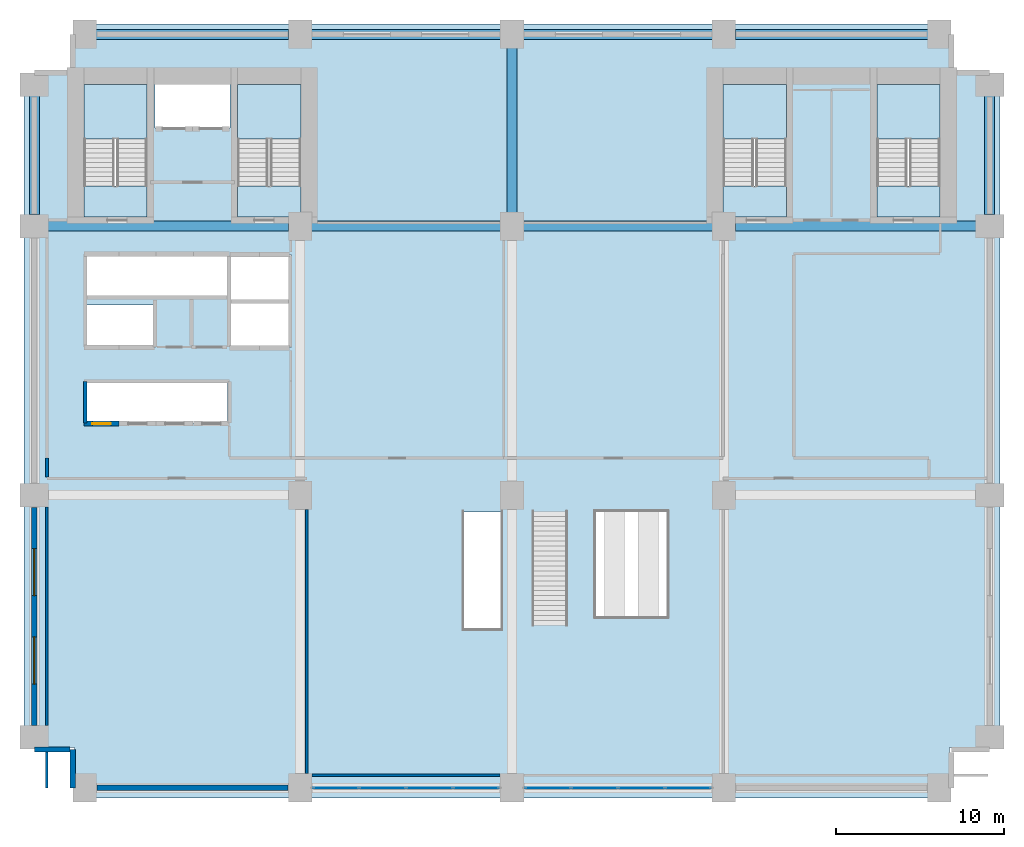
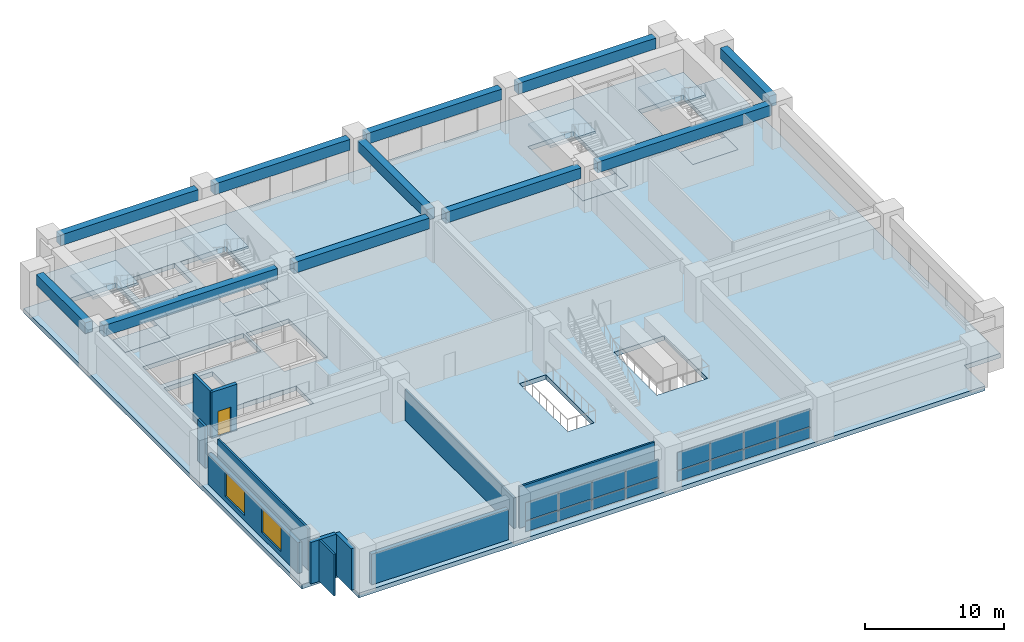
# One storey, part 4 of 11: 16 plates, 11 beams, 11 walls, 9 slabs, 2 windows, 1 door, 3 openings, 6 elements without a shape of their own.
"""IFC4 building model written with IfcOpenShell, lengths in metres."""

from ifc_helpers import new_model, si_unit, direction, frame, frame_2d, origin, origin_2d, place, context, subcontext, project, spatial, polyline, rectangle, outline, extrude, material, layer, layer_set, material_profile, profile_set, type_object, element, fill, aggregate, save


model = new_model("IFC4")

# Units and contexts
model_context = context("Model", 3, precision=1e-05, world=origin(), true_north=direction((0.0, 1.0)))
body_context = subcontext(model_context, "Body", "Model", "MODEL_VIEW")
ifc_project = project(units=[si_unit("LENGTHUNIT", "METRE"), si_unit("AREAUNIT", "SQUARE_METRE"), si_unit("VOLUMEUNIT", "CUBIC_METRE"), si_unit("PLANEANGLEUNIT", "RADIAN"), si_unit("MASSUNIT", "GRAM", prefix="KILO")], contexts=[model_context])

# Site, building, storey
site_placement = place(None, origin())
site = spatial("IfcSite", under=ifc_project, at=site_placement, CompositionType="ELEMENT")
building_placement = place(site_placement, origin())
building = spatial("IfcBuilding", under=site, at=building_placement, Name="Sulina Concourse Tower", CompositionType="ELEMENT")
storey_placement = place(building_placement, frame((0.0, 0.0, 9.449951171875)))
storey = spatial("IfcBuildingStorey", under=building, at=storey_placement, Name="L02", CompositionType="ELEMENT", Elevation=9.449951171875)

# Beams
ifc_material_1 = material(Name="Concrete C60/75", Category="concrete")
ifc_material_profile = material_profile(ifc_material_1, rectangle(XDim=0.60009765625, YDim=0.949951171875, at=origin_2d()), Name="RC 600x950")
ifc_profile_set = profile_set([ifc_material_profile], Name="Concrete C60/75")
beam_type = type_object("IfcBeamType", Name="Basement & Podium Primary Beam 600x950", PredefinedType="BEAM", material=ifc_profile_set)
beam_1_placement = place(storey_placement, frame((4.280029296875, 45.39990234375, 3.175048828125), z_axis=(1.0, 0.0, 0.0), x_axis=(0.0, 1.0, 0.0)))
element("IfcBeam", 1, at=beam_1_placement, inside=storey, type_object=beam_type, Name="PB-N1-L02", PredefinedType="BEAM", context=body_context, shape_type="SweptSolid", body=[
    extrude(rectangle(XDim=0.60009765625, YDim=0.949951171875, at=origin_2d()), origin(), (0.0, 0.0, 1.0), 11.43994140625),
])
beam_2_placement = place(storey_placement, frame((1.280029296875, 34.0, 3.175048828125), z_axis=(1.0, 0.0, 0.0), x_axis=(0.0, 1.0, 0.0)))
element("IfcBeam", 2, at=beam_2_placement, inside=storey, type_object=beam_type, Name="PB-C0-L02", PredefinedType="BEAM", context=body_context, shape_type="SweptSolid", body=[
    extrude(rectangle(XDim=0.60009765625, YDim=0.949951171875, at=origin_2d()), origin(), (0.0, 0.0, 1.0), 14.43994140625),
])
for number, where, z_axis, x_axis, name in (
    (3, (17.080078125, 45.39990234375, 3.175048828125), (1.0, 0.0, 0.0), (0.0, 1.0, 0.0), "PB-N2-L02"),
    (4, (17.080078125, 34.0, 3.175048828125), (1.0, 0.0, 0.0), (0.0, 1.0, 0.0), "PB-C2-L02"),
    (5, (29.679931640625, 45.39990234375, 3.175048828125), (1.0, 0.0, 0.0), (0.0, 1.0, 0.0), "PB-N3-L02"),
    (6, (29.679931640625, 34.0, 3.175048828125), (1.0, 0.0, 0.0), (0.0, 1.0, 0.0), "PB-C3-L02"),
):
    element("IfcBeam", number, at=place(storey_placement, frame(where, z_axis=z_axis, x_axis=x_axis)), inside=storey, type_object=beam_type, Name=name, PredefinedType="BEAM", context=body_context, shape_type="SweptSolid", body=[
        extrude(rectangle(XDim=0.60009765625, YDim=0.949951171875, at=origin_2d()), origin(), (0.0, 0.0, 1.0), 11.239990234375),
    ])
beam_3_placement = place(storey_placement, frame((42.280029296875, 45.39990234375, 3.175048828125), z_axis=(1.0, 0.0, 0.0), x_axis=(0.0, 1.0, 0.0)))
element("IfcBeam", 7, at=beam_3_placement, inside=storey, type_object=beam_type, Name="PB-N4-L02", PredefinedType="BEAM", context=body_context, shape_type="SweptSolid", body=[
    extrude(rectangle(XDim=0.60009765625, YDim=0.949951171875, at=origin_2d()), origin(), (0.0, 0.0, 1.0), 11.43994140625),
])
beam_4_placement = place(storey_placement, frame((42.280029296875, 34.0, 3.175048828125), z_axis=(1.0, 0.0, 0.0), x_axis=(0.0, 1.0, 0.0)))
element("IfcBeam", 8, at=beam_4_placement, inside=storey, type_object=beam_type, Name="PB-C5-L02", PredefinedType="BEAM", context=body_context, shape_type="SweptSolid", body=[
    extrude(rectangle(XDim=0.60009765625, YDim=0.949951171875, at=origin_2d()), origin(), (0.0, 0.0, 1.0), 14.43994140625),
])
for number, where, z_axis, x_axis, name in (
    (9, (0.60009765625, 34.679931640625, 3.175048828125), (0.0, 1.0, 0.0), (-1.0, 0.0, 0.0), "PB-W3-L02"),
    (10, (57.39990234375, 34.679931640625, 3.175048828125), (0.0, 1.0, 0.0), (-1.0, 0.0, 0.0), "PB-E3-L02"),
):
    element("IfcBeam", number, at=place(storey_placement, frame(where, z_axis=z_axis, x_axis=x_axis)), inside=storey, type_object=beam_type, Name=name, PredefinedType="BEAM", context=body_context, shape_type="SweptSolid", body=[
        extrude(rectangle(XDim=0.60009765625, YDim=0.949951171875, at=origin_2d()), origin(), (0.0, 0.0, 1.0), 7.0400390625),
    ])
beam_5_placement = place(storey_placement, frame((29.0, 34.679931640625, 3.175048828125), z_axis=(0.0, 1.0, 0.0), x_axis=(-1.0, 0.0, 0.0)))
element("IfcBeam", 11, at=beam_5_placement, inside=storey, type_object=beam_type, Name="PB-NS2C-L02", PredefinedType="BEAM", context=body_context, shape_type="SweptSolid", body=[
    extrude(rectangle(XDim=0.60009765625, YDim=0.949951171875, at=origin_2d()), origin(), (0.0, 0.0, 1.0), 10.0400390625),
])

# Slabs
ifc_material_2 = material(Name="Concrete C50/60", Category="concrete")
ifc_layer_1 = layer(ifc_material_2, 0.199951171875)
ifc_layer_set_1 = layer_set([ifc_layer_1], Name="Concrete C50/60")
slab_type_1 = type_object("IfcSlabType", Name="Primary Core Stair Landing Slab 200mm", PredefinedType="LANDING", material=ifc_layer_set_1)
slab_1_placement = place(storey_placement, frame((0.0, 0.0, -0.199951171875)))
element("IfcSlab", 12, at=slab_1_placement, inside=storey, type_object=slab_type_1, Name="L02 ST-1 floor landing slab", PredefinedType="LANDING", context=body_context, shape_type="SweptSolid", body=[
    extrude(outline(polyline([(7.31005859375, 34.550048828125), (7.31005859375, 36.375), (3.550048828125, 36.375), (3.550048828125, 34.550048828125), (7.31005859375, 34.550048828125)])), origin(), (0.0, 0.0, 1.0), 0.199951171875),
])
slab_2_placement = place(storey_placement, frame((0.0, 0.0, -0.199951171875)))
element("IfcSlab", 13, at=slab_2_placement, inside=storey, type_object=slab_type_1, Name="L02 ST-2 floor landing slab", PredefinedType="LANDING", context=body_context, shape_type="SweptSolid", body=[
    extrude(outline(polyline([(16.449951171875, 34.550048828125), (16.449951171875, 36.375), (12.68994140625, 36.375), (12.68994140625, 34.550048828125), (16.449951171875, 34.550048828125)])), origin(), (0.0, 0.0, 1.0), 0.199951171875),
])
slab_3_placement = place(storey_placement, frame((0.0, 0.0, -0.199951171875)))
element("IfcSlab", 14, at=slab_3_placement, inside=storey, type_object=slab_type_1, Name="L02 ST-3 floor landing slab", PredefinedType="LANDING", context=body_context, shape_type="SweptSolid", body=[
    extrude(outline(polyline([(45.31005859375, 34.550048828125), (45.31005859375, 36.375), (41.550048828125, 36.375), (41.550048828125, 34.550048828125), (45.31005859375, 34.550048828125)])), origin(), (0.0, 0.0, 1.0), 0.199951171875),
])
slab_4_placement = place(storey_placement, frame((0.0, 0.0, -0.199951171875)))
element("IfcSlab", 15, at=slab_4_placement, inside=storey, type_object=slab_type_1, Name="L02 ST-4 floor landing slab", PredefinedType="LANDING", context=body_context, shape_type="SweptSolid", body=[
    extrude(outline(polyline([(54.449951171875, 34.550048828125), (54.449951171875, 36.375), (50.68994140625, 36.375), (50.68994140625, 34.550048828125), (54.449951171875, 34.550048828125)])), origin(), (0.0, 0.0, 1.0), 0.199951171875),
])

# Stair, slab
ifc_material_3 = material(Name="Concrete C50/60", Category="concrete")
stair_type_1 = type_object("IfcStairType", Name="Primary Core Dog-Leg Exit Stair 1800mm", PredefinedType="HALF_TURN_STAIR", material=ifc_material_3)
stair_1_placement = place(storey_placement, origin())
stair_1 = element("IfcStair", 16, at=stair_1_placement, inside=storey, type_object=stair_type_1, Name="L02 ST-1", PredefinedType="HALF_TURN_STAIR")
slab_5_placement = place(storey_placement, frame((0.0, 0.0, 1.824951171875)))
slab_5 = element("IfcSlab", 17, at=slab_5_placement, type_object=slab_type_1, Name="ST-1 landing 1", PredefinedType="LANDING", context=body_context, shape_type="SweptSolid", body=[
    extrude(outline(polyline([(7.304931640625, 39.175048828125), (7.304931640625, 42.425048828125), (3.554931640625, 42.425048828125), (3.554931640625, 39.175048828125), (7.304931640625, 39.175048828125)])), origin(), (0.0, 0.0, 1.0), 0.2001953125),
])
aggregate(stair_1, [slab_5])

stair_2_placement = place(storey_placement, origin())
stair_2 = element("IfcStair", 18, at=stair_2_placement, inside=storey, type_object=stair_type_1, Name="L02 ST-2", PredefinedType="HALF_TURN_STAIR")
slab_6_placement = place(storey_placement, frame((0.0, 0.0, 1.824951171875)))
slab_6 = element("IfcSlab", 19, at=slab_6_placement, type_object=slab_type_1, Name="ST-2 landing 1", PredefinedType="LANDING", context=body_context, shape_type="SweptSolid", body=[
    extrude(outline(polyline([(16.445068359375, 39.175048828125), (16.445068359375, 42.425048828125), (12.695068359375, 42.425048828125), (12.695068359375, 39.175048828125), (16.445068359375, 39.175048828125)])), origin(), (0.0, 0.0, 1.0), 0.2001953125),
])
aggregate(stair_2, [slab_6])

ifc_material_4 = material(Name="Concrete C50/60", Category="concrete")
stair_type_2 = type_object("IfcStairType", Name="Portal & Podium Core Exit Stair 1820mm", PredefinedType="HALF_TURN_STAIR", material=ifc_material_4)
stair_3_placement = place(storey_placement, origin())
stair_3 = element("IfcStair", 20, at=stair_3_placement, inside=storey, type_object=stair_type_2, Name="L02 ST-3", PredefinedType="HALF_TURN_STAIR")
slab_7_placement = place(storey_placement, frame((0.0, 0.0, 1.824951171875)))
slab_7 = element("IfcSlab", 21, at=slab_7_placement, type_object=slab_type_1, Name="ST-3 landing 1", PredefinedType="LANDING", context=body_context, shape_type="SweptSolid", body=[
    extrude(outline(polyline([(45.304931640625, 39.175048828125), (45.304931640625, 42.425048828125), (41.554931640625, 42.425048828125), (41.554931640625, 39.175048828125), (45.304931640625, 39.175048828125)])), origin(), (0.0, 0.0, 1.0), 0.2001953125),
])
aggregate(stair_3, [slab_7])

stair_4_placement = place(storey_placement, origin())
stair_4 = element("IfcStair", 22, at=stair_4_placement, inside=storey, type_object=stair_type_2, Name="L02 ST-4", PredefinedType="HALF_TURN_STAIR")
slab_8_placement = place(storey_placement, frame((0.0, 0.0, 1.824951171875)))
slab_8 = element("IfcSlab", 23, at=slab_8_placement, type_object=slab_type_1, Name="ST-4 landing 1", PredefinedType="LANDING", context=body_context, shape_type="SweptSolid", body=[
    extrude(outline(polyline([(54.445068359375, 39.175048828125), (54.445068359375, 42.425048828125), (50.695068359375, 42.425048828125), (50.695068359375, 39.175048828125), (54.445068359375, 39.175048828125)])), origin(), (0.0, 0.0, 1.0), 0.2001953125),
])
aggregate(stair_4, [slab_8])

# Slab
ifc_material_5 = material(Name="Concrete C60/75", Category="concrete")
ifc_layer_2 = layer(ifc_material_5, 0.39990234375)
ifc_layer_set_2 = layer_set([ifc_layer_2], Name="Concrete C60/75")
slab_type_2 = type_object("IfcSlabType", Name="Station Concourse & Transfer Slab 400mm", PredefinedType="FLOOR", material=ifc_layer_set_2)
slab_9_placement = place(storey_placement, frame((0.0, 0.0, -0.39990234375)))
element("IfcSlab", 24, at=slab_9_placement, inside=storey, type_object=slab_type_2, Name="L02 structural floor slab", PredefinedType="FLOOR", context=body_context, shape_type="SweptSolid", body=[
    extrude(outline(polyline([(3.0, 0.0), (55.0, 0.0), (55.0, 3.0), (58.0, 3.0), (58.0, 43.0), (55.0, 43.0), (55.0, 46.0), (3.0, 46.0), (3.0, 43.0), (0.0, 43.0), (0.0, 3.0), (3.0, 3.0), (3.0, 0.0)]), holes=[polyline([(7.31005859375, 34.550048828125), (7.31005859375, 42.429931640625), (3.550048828125, 42.429931640625), (3.550048828125, 34.550048828125), (7.31005859375, 34.550048828125)]), polyline([(16.449951171875, 34.550048828125), (16.449951171875, 42.429931640625), (12.68994140625, 42.429931640625), (12.68994140625, 34.550048828125), (16.449951171875, 34.550048828125)]), polyline([(45.31005859375, 34.550048828125), (45.31005859375, 42.429931640625), (41.550048828125, 42.429931640625), (41.550048828125, 34.550048828125), (45.31005859375, 34.550048828125)]), polyline([(54.449951171875, 34.550048828125), (54.449951171875, 42.429931640625), (50.68994140625, 42.429931640625), (50.68994140625, 34.550048828125), (54.449951171875, 34.550048828125)]), polyline([(26.14990234375, 10.050048828125), (28.35009765625, 10.050048828125), (28.35009765625, 17.0), (26.14990234375, 17.0), (26.14990234375, 10.050048828125)]), polyline([(34.0, 10.800048828125), (38.199951171875, 10.800048828125), (38.199951171875, 17.0), (34.0, 17.0), (34.0, 10.800048828125)]), polyline([(7.780029296875, 39.830078125), (12.219970703125, 39.830078125), (12.219970703125, 42.449951171875), (7.780029296875, 42.449951171875), (7.780029296875, 39.830078125)]), polyline([(3.739990234375, 26.780029296875), (7.77001953125, 26.780029296875), (7.77001953125, 29.320068359375), (3.739990234375, 29.320068359375), (3.739990234375, 26.780029296875)]), polyline([(3.739990234375, 29.780029296875), (12.10009765625, 29.780029296875), (12.10009765625, 32.3701171875), (3.739990234375, 32.3701171875), (3.739990234375, 29.780029296875)]), polyline([(3.739990234375, 22.280029296875), (12.10009765625, 22.280029296875), (12.10009765625, 24.77001953125), (3.739990234375, 24.77001953125), (3.739990234375, 22.280029296875)]), polyline([(12.280029296875, 26.780029296875), (15.85009765625, 26.780029296875), (15.85009765625, 32.320068359375), (12.280029296875, 32.320068359375), (12.280029296875, 26.780029296875)])]), origin(), (0.0, 0.0, 1.0), 0.39990234375),
])

# Curtain wall, plates
ifc_material_6 = material(Name="Anodised bronze aluminium", Category="aluminium")
ifc_layer_3 = layer(ifc_material_6, 0.239990234375)
ifc_layer_set_3 = layer_set([ifc_layer_3], Name="Anodised bronze aluminium")
curtain_wall_type = type_object("IfcCurtainWallType", Name="Station Concourse Curtain Wall System", PredefinedType="NOTDEFINED", material=ifc_layer_set_3)
curtain_wall_1_placement = place(storey_placement, origin())
curtain_wall_1 = element("IfcCurtainWall", 25, at=curtain_wall_1_placement, inside=storey, type_object=curtain_wall_type, Name="L02 glazed curtain wall S2", PredefinedType="NOTDEFINED")
ifc_material_7 = material(Name="Low-E laminated concourse glazing", Category="glass")
ifc_layer_4 = layer(ifc_material_7, 0.035888671875)
ifc_layer_set_4 = layer_set([ifc_layer_4], Name="Low-E laminated concourse glazing")
plate_type = type_object("IfcPlateType", Name="Station Concourse Curtain Wall System Glazed Panel 36mm", PredefinedType="CURTAIN_PANEL", material=ifc_layer_set_4)
plate_1_placement = place(storey_placement, frame((26.8662109375, 0.60009765625, 0.074951171875), z_axis=(0.0, 0.0, 1.0), x_axis=(-1.0, 0.0, 0.0)))
plate_1 = element("IfcPlate", 26, at=plate_1_placement, type_object=plate_type, Name="CW-01 panel 1.1", PredefinedType="CURTAIN_PANEL", context=body_context, shape_type="SweptSolid", body=[
    extrude(rectangle(XDim=2.677490234375, YDim=0.035888671875, at=origin_2d()), origin(), (0.0, 0.0, 1.0), 0.91357421875),
])
plate_2_placement = place(storey_placement, frame((26.8662109375, 0.60009765625, 1.0634765625), z_axis=(0.0, 0.0, 1.0), x_axis=(-1.0, 0.0, 0.0)))
plate_2 = element("IfcPlate", 27, at=plate_2_placement, type_object=plate_type, Name="CW-01 panel 1.2", PredefinedType="CURTAIN_PANEL", context=body_context, shape_type="SweptSolid", body=[
    extrude(rectangle(XDim=2.677490234375, YDim=0.035888671875, at=origin_2d()), origin(), (0.0, 0.0, 1.0), 1.5615234375),
])
plate_3_placement = place(storey_placement, frame((24.094970703125, 0.60009765625, 0.074951171875), z_axis=(0.0, 0.0, 1.0), x_axis=(-1.0, 0.0, 0.0)))
plate_3 = element("IfcPlate", 28, at=plate_3_placement, type_object=plate_type, Name="CW-01 panel 2.1", PredefinedType="CURTAIN_PANEL", context=body_context, shape_type="SweptSolid", body=[
    extrude(rectangle(XDim=2.715087890625, YDim=0.035888671875, at=origin_2d()), origin(), (0.0, 0.0, 1.0), 0.91357421875),
])
plate_4_placement = place(storey_placement, frame((24.094970703125, 0.60009765625, 1.0634765625), z_axis=(0.0, 0.0, 1.0), x_axis=(-1.0, 0.0, 0.0)))
plate_4 = element("IfcPlate", 29, at=plate_4_placement, type_object=plate_type, Name="CW-01 panel 2.2", PredefinedType="CURTAIN_PANEL", context=body_context, shape_type="SweptSolid", body=[
    extrude(rectangle(XDim=2.715087890625, YDim=0.035888671875, at=origin_2d()), origin(), (0.0, 0.0, 1.0), 1.5615234375),
])
plate_5_placement = place(storey_placement, frame((21.304931640625, 0.60009765625, 0.074951171875), z_axis=(0.0, 0.0, 1.0), x_axis=(-1.0, 0.0, 0.0)))
plate_5 = element("IfcPlate", 30, at=plate_5_placement, type_object=plate_type, Name="CW-01 panel 3.1", PredefinedType="CURTAIN_PANEL", context=body_context, shape_type="SweptSolid", body=[
    extrude(rectangle(XDim=2.715087890625, YDim=0.035888671875, at=origin_2d()), origin(), (0.0, 0.0, 1.0), 0.91357421875),
])
plate_6_placement = place(storey_placement, frame((21.304931640625, 0.60009765625, 1.0634765625), z_axis=(0.0, 0.0, 1.0), x_axis=(-1.0, 0.0, 0.0)))
plate_6 = element("IfcPlate", 31, at=plate_6_placement, type_object=plate_type, Name="CW-01 panel 3.2", PredefinedType="CURTAIN_PANEL", context=body_context, shape_type="SweptSolid", body=[
    extrude(rectangle(XDim=2.715087890625, YDim=0.035888671875, at=origin_2d()), origin(), (0.0, 0.0, 1.0), 1.5615234375),
])
plate_7_placement = place(storey_placement, frame((18.53369140625, 0.60009765625, 0.074951171875), z_axis=(0.0, 0.0, 1.0), x_axis=(-1.0, 0.0, 0.0)))
plate_7 = element("IfcPlate", 32, at=plate_7_placement, type_object=plate_type, Name="CW-01 panel 4.1", PredefinedType="CURTAIN_PANEL", context=body_context, shape_type="SweptSolid", body=[
    extrude(rectangle(XDim=2.677490234375, YDim=0.035888671875, at=origin_2d()), origin(), (0.0, 0.0, 1.0), 0.91357421875),
])
plate_8_placement = place(storey_placement, frame((18.53369140625, 0.60009765625, 1.0634765625), z_axis=(0.0, 0.0, 1.0), x_axis=(-1.0, 0.0, 0.0)))
plate_8 = element("IfcPlate", 33, at=plate_8_placement, type_object=plate_type, Name="CW-01 panel 4.2", PredefinedType="CURTAIN_PANEL", context=body_context, shape_type="SweptSolid", body=[
    extrude(rectangle(XDim=2.677490234375, YDim=0.035888671875, at=origin_2d()), origin(), (0.0, 0.0, 1.0), 1.5615234375),
])
aggregate(curtain_wall_1, [plate_1, plate_2, plate_3, plate_4, plate_5, plate_6, plate_7, plate_8])

curtain_wall_2_placement = place(storey_placement, origin())
curtain_wall_2 = element("IfcCurtainWall", 34, at=curtain_wall_2_placement, inside=storey, type_object=curtain_wall_type, Name="L02 glazed curtain wall S3", PredefinedType="NOTDEFINED")
plate_9_placement = place(storey_placement, frame((39.46630859375, 0.60009765625, 0.074951171875), z_axis=(0.0, 0.0, 1.0), x_axis=(-1.0, 0.0, 0.0)))
plate_9 = element("IfcPlate", 35, at=plate_9_placement, type_object=plate_type, Name="CW-01 panel 1.1", PredefinedType="CURTAIN_PANEL", context=body_context, shape_type="SweptSolid", body=[
    extrude(rectangle(XDim=2.677490234375, YDim=0.035888671875, at=origin_2d()), origin(), (0.0, 0.0, 1.0), 0.91357421875),
])
plate_10_placement = place(storey_placement, frame((39.46630859375, 0.60009765625, 1.0634765625), z_axis=(0.0, 0.0, 1.0), x_axis=(-1.0, 0.0, 0.0)))
plate_10 = element("IfcPlate", 36, at=plate_10_placement, type_object=plate_type, Name="CW-01 panel 1.2", PredefinedType="CURTAIN_PANEL", context=body_context, shape_type="SweptSolid", body=[
    extrude(rectangle(XDim=2.677490234375, YDim=0.035888671875, at=origin_2d()), origin(), (0.0, 0.0, 1.0), 1.5615234375),
])
plate_11_placement = place(storey_placement, frame((36.695068359375, 0.60009765625, 0.074951171875), z_axis=(0.0, 0.0, 1.0), x_axis=(-1.0, 0.0, 0.0)))
plate_11 = element("IfcPlate", 37, at=plate_11_placement, type_object=plate_type, Name="CW-01 panel 2.1", PredefinedType="CURTAIN_PANEL", context=body_context, shape_type="SweptSolid", body=[
    extrude(rectangle(XDim=2.715087890625, YDim=0.035888671875, at=origin_2d()), origin(), (0.0, 0.0, 1.0), 0.91357421875),
])
plate_12_placement = place(storey_placement, frame((36.695068359375, 0.60009765625, 1.0634765625), z_axis=(0.0, 0.0, 1.0), x_axis=(-1.0, 0.0, 0.0)))
plate_12 = element("IfcPlate", 38, at=plate_12_placement, type_object=plate_type, Name="CW-01 panel 2.2", PredefinedType="CURTAIN_PANEL", context=body_context, shape_type="SweptSolid", body=[
    extrude(rectangle(XDim=2.715087890625, YDim=0.035888671875, at=origin_2d()), origin(), (0.0, 0.0, 1.0), 1.5615234375),
])
plate_13_placement = place(storey_placement, frame((33.905029296875, 0.60009765625, 0.074951171875), z_axis=(0.0, 0.0, 1.0), x_axis=(-1.0, 0.0, 0.0)))
plate_13 = element("IfcPlate", 39, at=plate_13_placement, type_object=plate_type, Name="CW-01 panel 3.1", PredefinedType="CURTAIN_PANEL", context=body_context, shape_type="SweptSolid", body=[
    extrude(rectangle(XDim=2.715087890625, YDim=0.035888671875, at=origin_2d()), origin(), (0.0, 0.0, 1.0), 0.91357421875),
])
plate_14_placement = place(storey_placement, frame((33.905029296875, 0.60009765625, 1.0634765625), z_axis=(0.0, 0.0, 1.0), x_axis=(-1.0, 0.0, 0.0)))
plate_14 = element("IfcPlate", 40, at=plate_14_placement, type_object=plate_type, Name="CW-01 panel 3.2", PredefinedType="CURTAIN_PANEL", context=body_context, shape_type="SweptSolid", body=[
    extrude(rectangle(XDim=2.715087890625, YDim=0.035888671875, at=origin_2d()), origin(), (0.0, 0.0, 1.0), 1.5615234375),
])
plate_15_placement = place(storey_placement, frame((31.1337890625, 0.60009765625, 0.074951171875), z_axis=(0.0, 0.0, 1.0), x_axis=(-1.0, 0.0, 0.0)))
plate_15 = element("IfcPlate", 41, at=plate_15_placement, type_object=plate_type, Name="CW-01 panel 4.1", PredefinedType="CURTAIN_PANEL", context=body_context, shape_type="SweptSolid", body=[
    extrude(rectangle(XDim=2.677490234375, YDim=0.035888671875, at=origin_2d()), origin(), (0.0, 0.0, 1.0), 0.91357421875),
])
plate_16_placement = place(storey_placement, frame((31.1337890625, 0.60009765625, 1.0634765625), z_axis=(0.0, 0.0, 1.0), x_axis=(-1.0, 0.0, 0.0)))
plate_16 = element("IfcPlate", 42, at=plate_16_placement, type_object=plate_type, Name="CW-01 panel 4.2", PredefinedType="CURTAIN_PANEL", context=body_context, shape_type="SweptSolid", body=[
    extrude(rectangle(XDim=2.677490234375, YDim=0.035888671875, at=origin_2d()), origin(), (0.0, 0.0, 1.0), 1.5615234375),
])
aggregate(curtain_wall_2, [plate_9, plate_10, plate_11, plate_12, plate_13, plate_14, plate_15, plate_16])

# Wall
ifc_material_8 = material(Name="Concrete C50/60", Category="concrete")
ifc_layer_5 = layer(ifc_material_8, 0.219970703125)
ifc_layer_set_5 = layer_set([ifc_layer_5], Name="Concrete C50/60")
wall_type_1 = type_object("IfcWallType", Name="Core Lift Hoistway Divider Wall 220mm", PredefinedType="SOLIDWALL", material=ifc_layer_set_5)
wall_1_placement = place(storey_placement, frame((3.6298828125, 22.300048828125, 0.0), z_axis=(0.0, 0.0, 1.0), x_axis=(0.0, 1.0, 0.0)))
element("IfcWall", 43, at=wall_1_placement, inside=storey, type_object=wall_type_1, Name="L02 shaft divider wall HW-LP1-W", PredefinedType="SOLIDWALL", context=body_context, shape_type="SweptSolid", body=[
    extrude(rectangle(XDim=2.449951171875, YDim=0.219970703125, at=frame_2d((1.22509765625, 0.0))), origin(), (0.0, 0.0, 1.0), 4.050048828125),
])

# Wall, opening, door
ifc_material_9 = material(Name="Concrete C50/60", Category="concrete")
ifc_layer_6 = layer(ifc_material_9, 0.300048828125)
ifc_layer_set_6 = layer_set([ifc_layer_6], Name="Concrete C50/60")
wall_type_2 = type_object("IfcWallType", Name="Core Lift Hoistway Wall 300mm", PredefinedType="SOLIDWALL", material=ifc_layer_set_6)
wall_2_placement = place(storey_placement, frame((5.64990234375, 22.25, 0.0), z_axis=(0.0, 0.0, 1.0), x_axis=(-1.0, 0.0, 0.0)))
wall_2 = element("IfcWall", 44, at=wall_2_placement, inside=storey, type_object=wall_type_2, Name="L02 hoistway enclosure wall LP-01", PredefinedType="SOLIDWALL", context=body_context, shape_type="SweptSolid", body=[
    extrude(rectangle(XDim=2.099853515625, YDim=0.300048828125, at=frame_2d((1.0498046875, 0.0))), origin(), (0.0, 0.0, 1.0), 4.050048828125),
])
opening_1_placement = place(wall_2_placement, frame((0.5, 0.0, 0.0)))
opening_1 = element("IfcOpeningElement", 45, at=opening_1_placement, cuts=wall_2, Name="Opening LD-01", PredefinedType="OPENING", context=body_context, shape_type="SweptSolid", body=[
    extrude(rectangle(XDim=1.10009765625, YDim=2.199951171875, at=frame_2d((0.550048828125, 1.10009765625))), frame((0.0, 0.159912109375, 0.0), z_axis=(0.0, -1.0, 0.0), x_axis=(1.0, 0.0, 0.0)), (0.0, 0.0, 1.0), 0.320068359375),
])
ifc_material_10 = material(Name="Stainless steel lift landing door", Category="steel")
ifc_layer_7 = layer(ifc_material_10, 0.050048828125)
ifc_layer_set_7 = layer_set([ifc_layer_7], Name="Stainless steel lift landing door")
door_type = type_object("IfcDoorType", Name="Passenger Lift Sliding Landing Door 1100x2200", OperationType="SLIDING_TO_LEFT", PredefinedType="DOOR", material=ifc_layer_set_7)
door_placement = place(opening_1_placement, origin())
door = element("IfcDoor", 46, at=door_placement, inside=storey, type_object=door_type, Name="L02 lift landing sliding door LP-01", OperationType="SLIDING_TO_LEFT", OverallHeight=2.199951171875, OverallWidth=1.10009765625, PredefinedType="DOOR", context=body_context, shape_type="SweptSolid", body=[
    extrude(rectangle(XDim=1.10009765625, YDim=2.199951171875, at=frame_2d((0.550048828125, 1.10009765625))), frame((0.0, 0.02490234375, 0.0), z_axis=(0.0, -1.0, 0.0), x_axis=(1.0, 0.0, 0.0)), (0.0, 0.0, 1.0), 0.050048828125),
])
fill(opening_1, door)

# Walls
ifc_material_11 = material(Name="Gypsum board on steel stud", Category="steel")
ifc_layer_8 = layer(ifc_material_11, 0.14990234375)
ifc_layer_set_8 = layer_set([ifc_layer_8], Name="Gypsum board on steel stud")
wall_type_3 = type_object("IfcWallType", Name="Inter-Tenancy Acoustic Partition 150mm", PredefinedType="PARTITIONING", material=ifc_layer_set_8)
wall_3_placement = place(storey_placement, frame((17.10009765625, 1.35009765625, 0.0), z_axis=(0.0, 0.0, 1.0), x_axis=(1.0, 0.0, 0.0)))
element("IfcWall", 47, at=wall_3_placement, inside=storey, type_object=wall_type_3, Name="L02 interior partition 001", PredefinedType="PARTITIONING", context=body_context, shape_type="SweptSolid", body=[
    extrude(rectangle(XDim=11.199951171875, YDim=0.14990234375, at=frame_2d((5.60009765625, 0.0))), origin(), (0.0, 0.0, 1.0), 3.650146484375),
])
wall_4_placement = place(storey_placement, frame((1.35009765625, 0.60009765625, 0.0), z_axis=(0.0, 0.0, 1.0), x_axis=(0.0, 1.0, 0.0)))
element("IfcWall", 48, at=wall_4_placement, inside=storey, type_object=wall_type_3, Name="L02 interior partition 020", PredefinedType="PARTITIONING", context=body_context, shape_type="SweptSolid", body=[
    extrude(rectangle(XDim=2.119873046875, YDim=0.14990234375, at=frame_2d((1.06005859375, 0.0))), origin(), (0.0, 0.0, 1.0), 3.650146484375),
])
wall_5_placement = place(storey_placement, frame((1.35009765625, 4.300048828125, 0.0), z_axis=(0.0, 0.0, 1.0), x_axis=(0.0, 1.0, 0.0)))
element("IfcWall", 49, at=wall_5_placement, inside=storey, type_object=wall_type_3, Name="L02 interior partition 021", PredefinedType="PARTITIONING", context=body_context, shape_type="SweptSolid", body=[
    extrude(rectangle(XDim=13.0, YDim=0.14990234375, at=frame_2d((6.5, 0.0))), origin(), (0.0, 0.0, 1.0), 3.650146484375),
])
wall_6_placement = place(storey_placement, frame((16.800048828125, 1.449951171875, 0.0), z_axis=(0.0, 0.0, 1.0), x_axis=(0.0, 1.0, 0.0)))
element("IfcWall", 50, at=wall_6_placement, inside=storey, type_object=wall_type_3, Name="L02 interior partition 029", PredefinedType="PARTITIONING", context=body_context, shape_type="SweptSolid", body=[
    extrude(rectangle(XDim=15.699951171875, YDim=0.14990234375, at=frame_2d((7.85009765625, 0.0))), origin(), (0.0, 0.0, 1.0), 2.695068359375),
])
ifc_material_12 = material(Name="Precast concrete C50/60", Category="concrete")
ifc_layer_9 = layer(ifc_material_12, 0.320068359375)
ifc_layer_set_9 = layer_set([ifc_layer_9], Name="Precast concrete C50/60")
wall_type_4 = type_object("IfcWallType", Name="Lower Precast Masonry-Frame Facade Wall 320mm", PredefinedType="SOLIDWALL", material=ifc_layer_set_9)
wall_7_placement = place(storey_placement, frame((15.679931640625, 0.60009765625, 0.0), z_axis=(0.0, 0.0, 1.0), x_axis=(-1.0, 0.0, 0.0)))
element("IfcWall", 51, at=wall_7_placement, inside=storey, type_object=wall_type_4, Name="L02 exterior precast wall S1", PredefinedType="SOLIDWALL", context=body_context, shape_type="SweptSolid", body=[
    extrude(rectangle(XDim=11.35986328125, YDim=0.320068359375, at=frame_2d((5.679931640625, 0.0))), origin(), (0.0, 0.0, 1.0), 2.699951171875),
])

# Wall, openings, windows
wall_8_placement = place(storey_placement, frame((0.60009765625, 4.320068359375, 0.0), z_axis=(0.0, 0.0, 1.0), x_axis=(0.0, 1.0, 0.0)))
wall_8 = element("IfcWall", 52, at=wall_8_placement, inside=storey, type_object=wall_type_4, Name="L02 exterior precast wall W1", PredefinedType="SOLIDWALL", context=body_context, shape_type="SweptSolid", body=[
    extrude(rectangle(XDim=12.9599609375, YDim=0.320068359375, at=frame_2d((6.47998046875, 0.0))), origin(), (0.0, 0.0, 1.0), 2.699951171875),
])
opening_2_placement = place(wall_8_placement, frame((2.453369140625, 0.0, 0.449951171875)))
opening_2 = element("IfcOpeningElement", 53, at=opening_2_placement, cuts=wall_8, Name="Opening WN-83", PredefinedType="OPENING", context=body_context, shape_type="SweptSolid", body=[
    extrude(rectangle(XDim=2.800048828125, YDim=2.10009765625, at=frame_2d((1.39990234375, 1.050048828125))), frame((0.0, 0.169921875, 0.0), z_axis=(0.0, -1.0, 0.0), x_axis=(1.0, 0.0, 0.0)), (0.0, 0.0, 1.0), 0.340087890625),
])
opening_3_placement = place(wall_8_placement, frame((7.706787109375, 0.0, 0.449951171875)))
opening_3 = element("IfcOpeningElement", 54, at=opening_3_placement, cuts=wall_8, Name="Opening WN-83", PredefinedType="OPENING", context=body_context, shape_type="SweptSolid", body=[
    extrude(rectangle(XDim=2.800048828125, YDim=2.10009765625, at=frame_2d((1.39990234375, 1.050048828125))), frame((0.0, 0.169921875, 0.0), z_axis=(0.0, -1.0, 0.0), x_axis=(1.0, 0.0, 0.0)), (0.0, 0.0, 1.0), 0.340087890625),
])
ifc_material_13 = material(Name="Low-E solar double glazing in bronze aluminium", Category="aluminium")
window_type = type_object("IfcWindowType", Name="Station Podium Clerestory Window 2800x2100", PartitioningType="TRIPLE_PANEL_VERTICAL", PredefinedType="WINDOW", material=ifc_material_13)
window_1_placement = place(opening_2_placement, origin())
window_1 = element("IfcWindow", 55, at=window_1_placement, inside=storey, type_object=window_type, Name="L02 punched window W1-1", OverallHeight=2.10009765625, OverallWidth=2.800048828125, PartitioningType="SINGLE_PANEL", PredefinedType="WINDOW", context=body_context, shape_type="SweptSolid", body=[
    extrude(rectangle(XDim=2.800048828125, YDim=2.10009765625, at=frame_2d((1.39990234375, 1.050048828125))), frame((0.0, 0.030029296875, 0.0), z_axis=(0.0, -1.0, 0.0), x_axis=(1.0, 0.0, 0.0)), (0.0, 0.0, 1.0), 0.06005859375),
])
fill(opening_2, window_1)
window_2_placement = place(opening_3_placement, origin())
window_2 = element("IfcWindow", 56, at=window_2_placement, inside=storey, type_object=window_type, Name="L02 punched window W1-2", OverallHeight=2.10009765625, OverallWidth=2.800048828125, PartitioningType="SINGLE_PANEL", PredefinedType="WINDOW", context=body_context, shape_type="SweptSolid", body=[
    extrude(rectangle(XDim=2.800048828125, YDim=2.10009765625, at=frame_2d((1.39990234375, 1.050048828125))), frame((0.0, 0.030029296875, 0.0), z_axis=(0.0, -1.0, 0.0), x_axis=(1.0, 0.0, 0.0)), (0.0, 0.0, 1.0), 0.06005859375),
])
fill(opening_3, window_2)

# Walls
wall_9_placement = place(storey_placement, frame((2.8798828125, 0.60009765625, 0.0), z_axis=(0.0, 0.0, 1.0), x_axis=(0.0, 1.0, 0.0)))
element("IfcWall", 57, at=wall_9_placement, inside=storey, type_object=wall_type_4, Name="L02 exterior precast wall CSW1", PredefinedType="SOLIDWALL", context=body_context, shape_type="SweptSolid", body=[
    extrude(rectangle(XDim=2.27978515625, YDim=0.320068359375, at=frame_2d((1.139892578125, 0.0))), origin(), (0.0, 0.0, 1.0), 3.650146484375),
])
wall_10_placement = place(storey_placement, frame((2.715087890625, 2.8798828125, 0.0), z_axis=(0.0, 0.0, 1.0), x_axis=(-1.0, 0.0, 0.0)))
element("IfcWall", 58, at=wall_10_placement, inside=storey, type_object=wall_type_4, Name="L02 exterior precast wall CSW2", PredefinedType="SOLIDWALL", context=body_context, shape_type="SweptSolid", body=[
    extrude(rectangle(XDim=2.114990234375, YDim=0.320068359375, at=frame_2d((1.0576171875, 0.0))), origin(), (0.0, 0.0, 1.0), 3.650146484375),
])
ifc_material_14 = material(Name="Gypsum board on steel stud", Category="steel")
ifc_layer_10 = layer(ifc_material_14, 0.179931640625)
ifc_layer_set_10 = layer_set([ifc_layer_10], Name="Gypsum board on steel stud")
wall_type_5 = type_object("IfcWallType", Name="Protected Corridor & Riser Partition 180mm", PredefinedType="PARTITIONING", material=ifc_layer_set_10)
wall_11_placement = place(storey_placement, frame((1.35009765625, 19.090087890625, 0.0), z_axis=(0.0, 0.0, 1.0), x_axis=(0.0, 1.0, 0.0)))
element("IfcWall", 59, at=wall_11_placement, inside=storey, type_object=wall_type_5, Name="L02 interior partition 022", PredefinedType="PARTITIONING", context=body_context, shape_type="SweptSolid", body=[
    extrude(rectangle(XDim=1.10986328125, YDim=0.179931640625, at=frame_2d((0.554931640625, 0.0))), origin(), (0.0, 0.0, 1.0), 3.650146484375),
])

save(model, "model.ifc")
